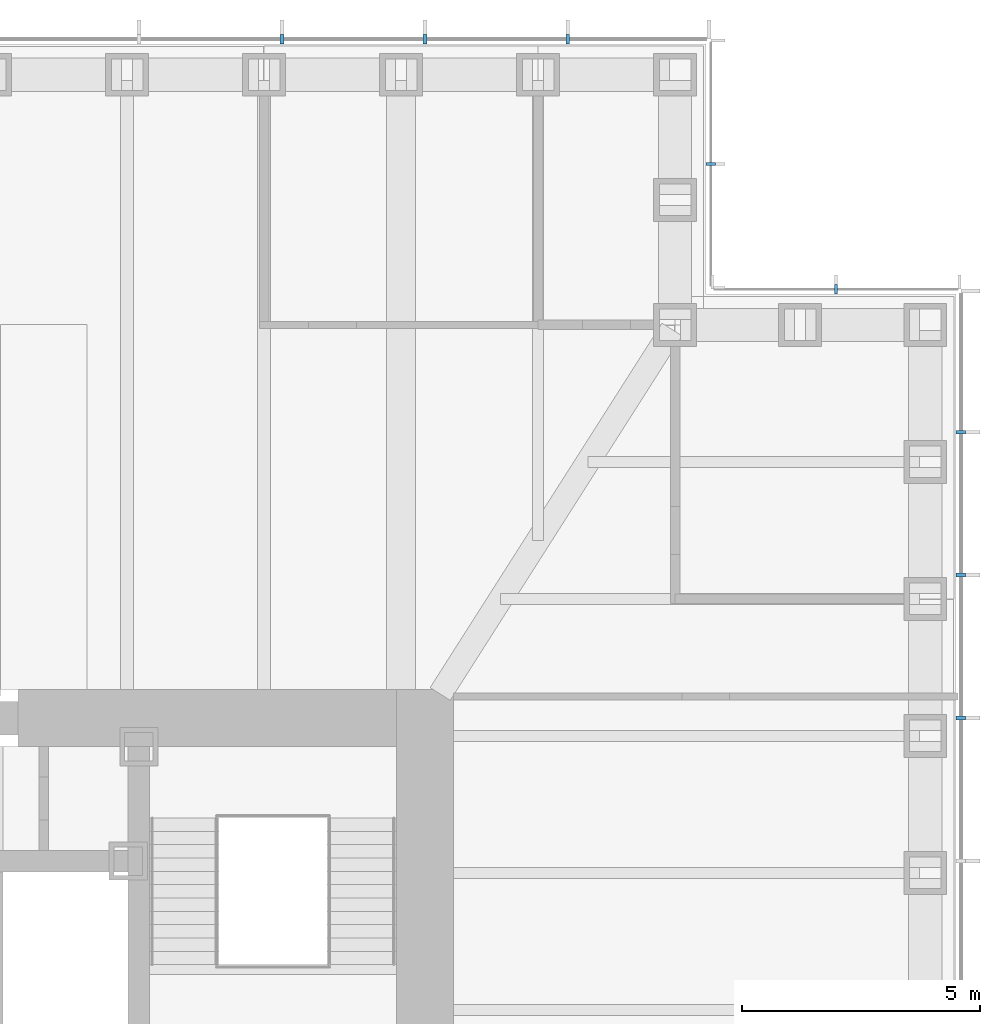
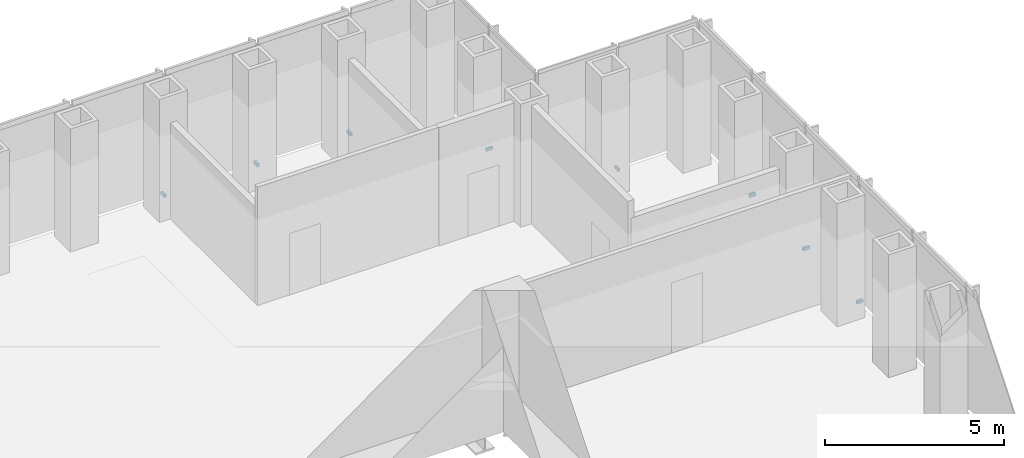
# One storey, part 16 of 17: 8 discrete accessories.
"""IFC4 building model written with IfcOpenShell, lengths in metres."""

from ifc_helpers import new_model, si_unit, direction, frame, origin, origin_2d, place, context, subcontext, project, spatial, rectangle, extrude, element, save


model = new_model("IFC4")

# Units and contexts
model_context = context("Model", 3, precision=1e-05, world=origin(), true_north=direction((0.0, 1.0)))
body_context = subcontext(model_context, "Body", "Model", "MODEL_VIEW")
ifc_project = project(units=[si_unit("LENGTHUNIT", "METRE"), si_unit("AREAUNIT", "SQUARE_METRE"), si_unit("VOLUMEUNIT", "CUBIC_METRE"), si_unit("PLANEANGLEUNIT", "RADIAN"), si_unit("MASSUNIT", "GRAM", prefix="KILO")], contexts=[model_context])

# Site, building, storey
site_placement = place(None, origin())
site = spatial("IfcSite", under=ifc_project, at=site_placement, CompositionType="ELEMENT")
building_placement = place(site_placement, origin())
building = spatial("IfcBuilding", under=site, at=building_placement, Name="Daluyong Arena Tower", CompositionType="ELEMENT")
storey_placement = place(building_placement, frame((0.0, 0.0, 158.5)))
storey = spatial("IfcBuildingStorey", under=building, at=storey_placement, Name="L35", CompositionType="ELEMENT", Elevation=158.5)

# Discrete accessories
for number, where, z_axis, x_axis, name in (
    (1, (79.25, 89.0, -0.10009765625), (0.0, 0.0, 1.0), (0.0, 1.0, 0.0), "curtain wall L35 E anchor bracket 10"),
    (2, (79.25, 92.0, -0.10009765625), (0.0, 0.0, 1.0), (0.0, 1.0, 0.0), "curtain wall L35 E anchor bracket 11"),
    (3, (79.25, 95.0, -0.10009765625), (0.0, 0.0, 1.0), (0.0, 1.0, 0.0), "curtain wall L35 E anchor bracket 12"),
):
    element("IfcDiscreteAccessory", number, at=place(storey_placement, frame(where, z_axis=z_axis, x_axis=x_axis)), inside=storey, Name=name, PredefinedType="BRACKET", context=body_context, shape_type="SweptSolid", body=[
        extrude(rectangle(XDim=0.080078125, YDim=0.199951171875, at=origin_2d()), origin(), (0.0, 0.0, 1.0), 0.10009765625),
    ])
for number, where, z_axis, x_axis, name in (
    (4, (76.625, 98.0, -0.10009765625), (0.0, 0.0, 1.0), (-1.0, 0.0, 0.0), "curtain wall L35 NE-N anchor bracket 2"),
    (5, (74.0, 100.625, -0.10009765625), (0.0, 0.0, 1.0), (0.0, 1.0, 0.0), "curtain wall L35 NE-E anchor bracket 2"),
):
    element("IfcDiscreteAccessory", number, at=place(storey_placement, frame(where, z_axis=z_axis, x_axis=x_axis)), inside=storey, Name=name, PredefinedType="BRACKET", context=body_context, shape_type="SweptSolid", body=[
        extrude(rectangle(XDim=0.06005859375, YDim=0.199951171875, at=origin_2d()), origin(), (0.0, 0.0, 1.0), 0.10009765625),
    ])
for number, where, z_axis, x_axis, name in (
    (6, (71.0, 103.25, -0.10009765625), (0.0, 0.0, 1.0), (-1.0, 0.0, 0.0), "curtain wall L35 N anchor bracket 2"),
    (7, (68.0, 103.25, -0.10009765625), (0.0, 0.0, 1.0), (-1.0, 0.0, 0.0), "curtain wall L35 N anchor bracket 3"),
    (8, (65.0, 103.25, -0.10009765625), (0.0, 0.0, 1.0), (-1.0, 0.0, 0.0), "curtain wall L35 N anchor bracket 4"),
):
    element("IfcDiscreteAccessory", number, at=place(storey_placement, frame(where, z_axis=z_axis, x_axis=x_axis)), inside=storey, Name=name, PredefinedType="BRACKET", context=body_context, shape_type="SweptSolid", body=[
        extrude(rectangle(XDim=0.080078125, YDim=0.199951171875, at=origin_2d()), origin(), (0.0, 0.0, 1.0), 0.10009765625),
    ])

save(model, "model.ifc")
